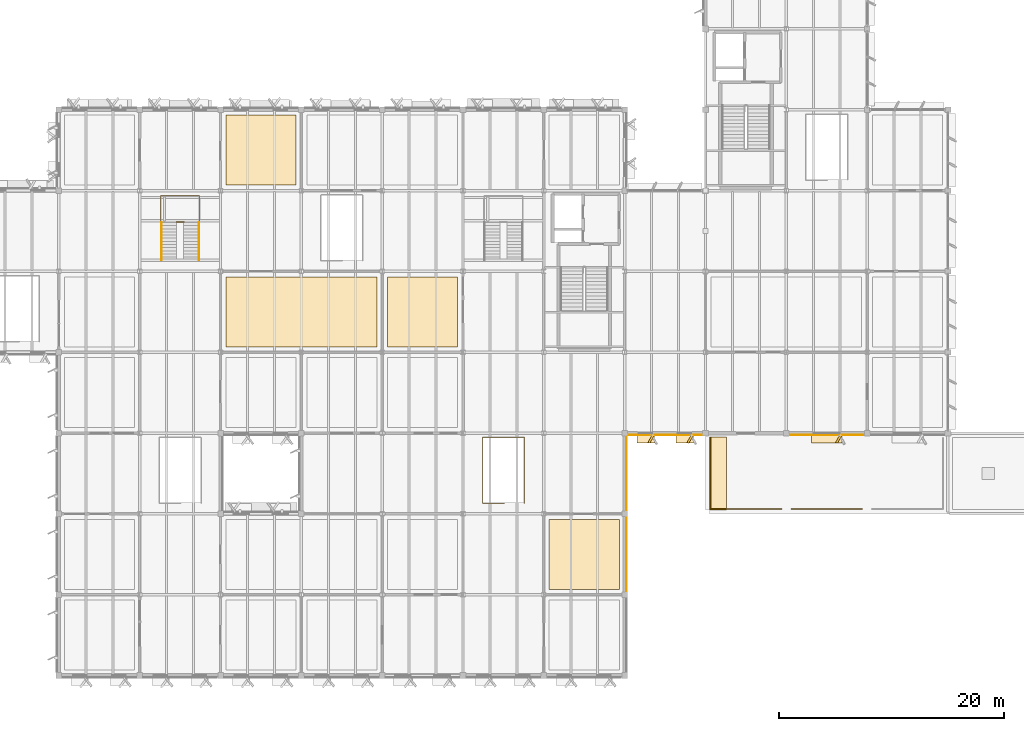
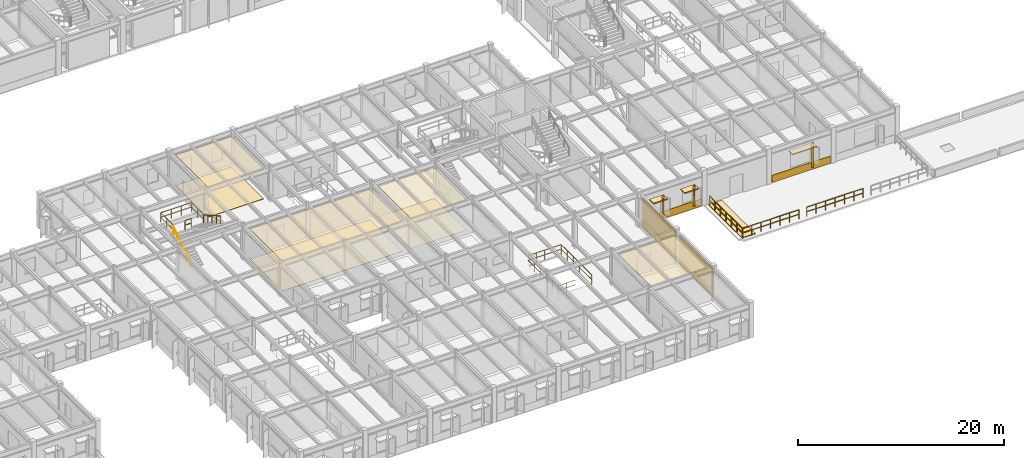
# One storey, part 76 of 85: 22 coverings, 8 railings.
"""IFC4 building model written with IfcOpenShell, lengths in metres."""

from ifc_helpers import new_model, si_unit, direction, frame, frame_2d, origin, origin_2d, place, context, subcontext, project, spatial, polyline, rectangle, circle, outline, extrude, material, layer, layer_set, type_object, element, save


model = new_model("IFC4")

# Units and contexts
model_context = context("Model", 3, precision=1e-05, world=origin(), true_north=direction((0.0, 1.0)))
body_context = subcontext(model_context, "Body", "Model", "MODEL_VIEW")
ifc_project = project(units=[si_unit("LENGTHUNIT", "METRE"), si_unit("AREAUNIT", "SQUARE_METRE"), si_unit("VOLUMEUNIT", "CUBIC_METRE"), si_unit("PLANEANGLEUNIT", "RADIAN"), si_unit("MASSUNIT", "GRAM", prefix="KILO")], contexts=[model_context])

# Site, building, storey
site_placement = place(None, origin())
site = spatial("IfcSite", under=ifc_project, at=site_placement, CompositionType="ELEMENT")
building_placement = place(site_placement, origin())
building = spatial("IfcBuilding", under=site, at=building_placement, Name="Sillqori Civic Hall", CompositionType="ELEMENT")
storey_placement = place(building_placement, frame((0.0, 0.0, 9.89990234375)))
storey = spatial("IfcBuildingStorey", under=building, at=storey_placement, Name="L03", CompositionType="ELEMENT", Elevation=9.89990234375)

# Coverings
ifc_material_1 = material(Name="Acoustic Gypsum Board Assembly 28", Category="gypsum")
ifc_layer_1 = layer(ifc_material_1, 0.028076171875)
ifc_layer_set_1 = layer_set([ifc_layer_1], Name="Acoustic Gypsum Board Assembly 28")
covering_type_1 = type_object("IfcCoveringType", Name="COV-CEIL-G28", PredefinedType="CEILING", material=ifc_layer_set_1)
covering_1_placement = place(storey_placement, frame((0.0, 0.0, 3.593017578125)))
element("IfcCovering", 1, at=covering_1_placement, inside=storey, type_object=covering_type_1, Name="Civic Heritage Exhibition Gallery L03-09 acoustic ceiling", PredefinedType="CEILING", context=body_context, shape_type="SweptSolid", body=[
    extrude(outline(polyline([(79.679931640625, 36.47998046875), (93.1201171875, 36.47998046875), (93.1201171875, 42.719970703125), (79.679931640625, 42.719970703125), (79.679931640625, 36.47998046875)])), origin(), (0.0, 0.0, 1.0), 0.028076171875),
])
ifc_material_2 = material(Name="Acoustic Gypsum Board Assembly 34", Category="gypsum")
ifc_layer_2 = layer(ifc_material_2, 0.033935546875)
ifc_layer_set_2 = layer_set([ifc_layer_2], Name="Acoustic Gypsum Board Assembly 34")
covering_type_2 = type_object("IfcCoveringType", Name="COV-CEIL-G34", PredefinedType="CEILING", material=ifc_layer_set_2)
covering_2_placement = place(storey_placement, frame((0.0, 0.0, 3.587158203125)))
element("IfcCovering", 2, at=covering_2_placement, inside=storey, type_object=covering_type_2, Name="Citizen Participatory Budgeting Forum Hall L03-10 acoustic ceiling", PredefinedType="CEILING", context=body_context, shape_type="SweptSolid", body=[
    extrude(outline(polyline([(79.679931640625, 50.8798828125), (85.919921875, 50.8798828125), (85.919921875, 57.1201171875), (79.679931640625, 57.1201171875), (79.679931640625, 50.8798828125)])), origin(), (0.0, 0.0, 1.0), 0.033935546875),
])
ifc_material_3 = material(Name="Acoustic Wool Metal Plank 76", Category="aluminium")
ifc_layer_3 = layer(ifc_material_3, 0.075927734375)
ifc_layer_set_3 = layer_set([ifc_layer_3], Name="Acoustic Wool Metal Plank 76")
covering_type_3 = type_object("IfcCoveringType", Name="COV-CEIL-M76", PredefinedType="CEILING", material=ifc_layer_set_3)
covering_3_placement = place(storey_placement, frame((0.0, 0.0, 3.545166015625)))
element("IfcCovering", 3, at=covering_3_placement, inside=storey, type_object=covering_type_3, Name="Public Digital Services Lab L03-16 acoustic ceiling", PredefinedType="CEILING", context=body_context, shape_type="SweptSolid", body=[
    extrude(outline(polyline([(94.080078125, 36.47998046875), (100.320068359375, 36.47998046875), (100.320068359375, 42.719970703125), (94.080078125, 42.719970703125), (94.080078125, 36.47998046875)])), origin(), (0.0, 0.0, 1.0), 0.075927734375),
])
ifc_material_4 = material(Name="Micro-Perforated Aluminium Plank Ceiling", Category="aluminium")
ifc_layer_4 = layer(ifc_material_4, 0.035888671875)
ifc_layer_set_4 = layer_set([ifc_layer_4], Name="Micro-Perforated Aluminium Plank Ceiling")
covering_type_4 = type_object("IfcCoveringType", Name="COV-CEIL-MET", PredefinedType="CEILING", material=ifc_layer_set_4)
covering_4_placement = place(storey_placement, frame((0.0, 0.0, 3.585205078125)))
element("IfcCovering", 4, at=covering_4_placement, inside=storey, type_object=covering_type_4, Name="Citizen Participatory Budgeting Forum Hall L03-18 acoustic ceiling", PredefinedType="CEILING", context=body_context, shape_type="SweptSolid", body=[
    extrude(outline(polyline([(108.47998046875, 14.8798828125), (114.719970703125, 14.8798828125), (114.719970703125, 21.1201171875), (108.47998046875, 21.1201171875), (108.47998046875, 14.8798828125)])), origin(), (0.0, 0.0, 1.0), 0.035888671875),
])
ifc_material_5 = material(Name="Cochabamba Honed Limestone Cladding", Category="masonry")
ifc_layer_5 = layer(ifc_material_5, 0.044921875)
ifc_layer_set_5 = layer_set([ifc_layer_5], Name="Cochabamba Honed Limestone Cladding")
covering_type_5 = type_object("IfcCoveringType", Name="COV-CLAD-LIME", PredefinedType="CLADDING", material=ifc_layer_set_5)
covering_5_placement = place(storey_placement, frame((115.3798828125, 21.27001953125, 0.0400390625), z_axis=(0.0, 0.0, 1.0), x_axis=(0.0, -1.0, 0.0)))
element("IfcCovering", 5, at=covering_5_placement, inside=storey, type_object=covering_type_5, Name="L03 limestone spandrel cladding L03-15-02-E", PredefinedType="CLADDING", context=body_context, shape_type="SweptSolid", body=[
    extrude(rectangle(XDim=6.5400390625, YDim=0.044921875, at=frame_2d((3.27001953125, 0.0))), origin(), (0.0, 0.0, 1.0), 0.860107421875),
])
covering_6_placement = place(storey_placement, frame((115.3798828125, 21.27001953125, 3.22021484375), z_axis=(0.0, 0.0, 1.0), x_axis=(0.0, -1.0, 0.0)))
element("IfcCovering", 6, at=covering_6_placement, inside=storey, type_object=covering_type_5, Name="L03 limestone frieze cladding L03-15-02-E", PredefinedType="CLADDING", context=body_context, shape_type="SweptSolid", body=[
    extrude(rectangle(XDim=6.5400390625, YDim=0.044921875, at=frame_2d((3.27001953125, 0.0))), origin(), (0.0, 0.0, 1.0), 0.226806640625),
])
covering_7_placement = place(storey_placement, frame((115.3798828125, 21.27001953125, 0.900146484375), z_axis=(0.0, 0.0, 1.0), x_axis=(0.0, -1.0, 0.0)))
element("IfcCovering", 7, at=covering_7_placement, inside=storey, type_object=covering_type_5, Name="L03 Wedge Hall limestone pier cladding L03-15-02-E.1", PredefinedType="CLADDING", context=body_context, shape_type="SweptSolid", body=[
    extrude(rectangle(XDim=6.5400390625, YDim=0.044921875, at=frame_2d((3.27001953125, 0.0))), origin(), (0.0, 0.0, 1.0), 2.546875),
])
covering_8_placement = place(storey_placement, frame((115.3798828125, 28.469970703125, 0.0400390625), z_axis=(0.0, 0.0, 1.0), x_axis=(0.0, -1.0, 0.0)))
element("IfcCovering", 8, at=covering_8_placement, inside=storey, type_object=covering_type_5, Name="L03 limestone spandrel cladding L03-15-03-E", PredefinedType="CLADDING", context=body_context, shape_type="SweptSolid", body=[
    extrude(rectangle(XDim=6.5400390625, YDim=0.044921875, at=frame_2d((3.27001953125, 0.0))), origin(), (0.0, 0.0, 1.0), 0.860107421875),
])
covering_9_placement = place(storey_placement, frame((115.3798828125, 28.469970703125, 3.22021484375), z_axis=(0.0, 0.0, 1.0), x_axis=(0.0, -1.0, 0.0)))
element("IfcCovering", 9, at=covering_9_placement, inside=storey, type_object=covering_type_5, Name="L03 limestone frieze cladding L03-15-03-E", PredefinedType="CLADDING", context=body_context, shape_type="SweptSolid", body=[
    extrude(rectangle(XDim=6.5400390625, YDim=0.044921875, at=frame_2d((3.27001953125, 0.0))), origin(), (0.0, 0.0, 1.0), 0.226806640625),
])
covering_10_placement = place(storey_placement, frame((115.3798828125, 28.469970703125, 0.900146484375), z_axis=(0.0, 0.0, 1.0), x_axis=(0.0, -1.0, 0.0)))
element("IfcCovering", 10, at=covering_10_placement, inside=storey, type_object=covering_type_5, Name="L03 Wedge Hall limestone pier cladding L03-15-03-E.1", PredefinedType="CLADDING", context=body_context, shape_type="SweptSolid", body=[
    extrude(rectangle(XDim=6.5400390625, YDim=0.044921875, at=frame_2d((3.27001953125, 0.0))), origin(), (0.0, 0.0, 1.0), 2.546875),
])
covering_11_placement = place(storey_placement, frame((122.070068359375, 28.6298828125, 0.0400390625), z_axis=(0.0, 0.0, 1.0), x_axis=(-1.0, 0.0, 0.0)))
element("IfcCovering", 11, at=covering_11_placement, inside=storey, type_object=covering_type_5, Name="L03 limestone spandrel cladding L03-16-04-S", PredefinedType="CLADDING", context=body_context, shape_type="SweptSolid", body=[
    extrude(rectangle(XDim=6.5400390625, YDim=0.044921875, at=frame_2d((3.27001953125, 0.0))), origin(), (0.0, 0.0, 1.0), 0.860107421875),
])
covering_12_placement = place(storey_placement, frame((121.261962890625, 28.669921875, 0.830078125), z_axis=(0.0, 0.0, 1.0), x_axis=(-0.500062241894, -0.865989465428, 0.0)))
element("IfcCovering", 12, at=covering_12_placement, inside=storey, type_object=covering_type_5, Name="Sawtooth limestone angled reveal cheek L03-16-04-S.1", PredefinedType="CLADDING", context=body_context, shape_type="SweptSolid", body=[
    extrude(rectangle(XDim=0.85009765625, YDim=0.179931640625, at=frame_2d((0.425048828125, 0.0))), origin(), (0.0, 0.0, 1.0), 2.0),
])
covering_13_placement = place(storey_placement, frame((121.322021484375, 28.2900390625, 2.690185546875), z_axis=(0.0, 0.0, 1.0), x_axis=(-1.0, 0.0, 0.0)))
element("IfcCovering", 13, at=covering_13_placement, inside=storey, type_object=covering_type_5, Name="Sawtooth limestone window hood L03-16-04-S.1", PredefinedType="CLADDING", context=body_context, shape_type="SweptSolid", body=[
    extrude(rectangle(XDim=1.56005859375, YDim=0.780029296875, at=frame_2d((0.780029296875, 0.0))), origin(), (0.0, 0.0, 1.0), 0.139892578125),
])
covering_14_placement = place(storey_placement, frame((117.778076171875, 28.669921875, 0.830078125), z_axis=(0.0, 0.0, 1.0), x_axis=(-0.500062241894, -0.865989465428, 0.0)))
element("IfcCovering", 14, at=covering_14_placement, inside=storey, type_object=covering_type_5, Name="Sawtooth limestone angled reveal cheek L03-16-04-S.2", PredefinedType="CLADDING", context=body_context, shape_type="SweptSolid", body=[
    extrude(rectangle(XDim=0.85009765625, YDim=0.179931640625, at=frame_2d((0.425048828125, 0.0))), origin(), (0.0, 0.0, 1.0), 2.0),
])
covering_15_placement = place(storey_placement, frame((117.837890625, 28.2900390625, 2.690185546875), z_axis=(0.0, 0.0, 1.0), x_axis=(-1.0, 0.0, 0.0)))
element("IfcCovering", 15, at=covering_15_placement, inside=storey, type_object=covering_type_5, Name="Sawtooth limestone window hood L03-16-04-S.2", PredefinedType="CLADDING", context=body_context, shape_type="SweptSolid", body=[
    extrude(rectangle(XDim=1.559814453125, YDim=0.780029296875, at=frame_2d((0.77978515625, 0.0))), origin(), (0.0, 0.0, 1.0), 0.139892578125),
])
covering_16_placement = place(storey_placement, frame((136.469970703125, 28.6298828125, 0.0400390625), z_axis=(0.0, 0.0, 1.0), x_axis=(-1.0, 0.0, 0.0)))
element("IfcCovering", 16, at=covering_16_placement, inside=storey, type_object=covering_type_5, Name="L03 limestone spandrel cladding L03-18-04-S", PredefinedType="CLADDING", context=body_context, shape_type="SweptSolid", body=[
    extrude(rectangle(XDim=6.5400390625, YDim=0.044921875, at=frame_2d((3.27001953125, 0.0))), origin(), (0.0, 0.0, 1.0), 0.860107421875),
])
covering_17_placement = place(storey_placement, frame((134.4951171875, 28.669921875, 0.830078125), z_axis=(0.0, 0.0, 1.0), x_axis=(-0.500062241894, -0.865989465428, 0.0)))
element("IfcCovering", 17, at=covering_17_placement, inside=storey, type_object=covering_type_5, Name="Sawtooth limestone angled reveal cheek L03-18-04-S.1", PredefinedType="CLADDING", context=body_context, shape_type="SweptSolid", body=[
    extrude(rectangle(XDim=0.85009765625, YDim=0.179931640625, at=frame_2d((0.425048828125, 0.0))), origin(), (0.0, 0.0, 1.0), 2.35009765625),
])
covering_18_placement = place(storey_placement, frame((134.554931640625, 28.2900390625, 3.0400390625), z_axis=(0.0, 0.0, 1.0), x_axis=(-1.0, 0.0, 0.0)))
element("IfcCovering", 18, at=covering_18_placement, inside=storey, type_object=covering_type_5, Name="Sawtooth limestone window hood L03-18-04-S.1", PredefinedType="CLADDING", context=body_context, shape_type="SweptSolid", body=[
    extrude(rectangle(XDim=2.7099609375, YDim=0.780029296875, at=frame_2d((1.35498046875, 0.0))), origin(), (0.0, 0.0, 1.0), 0.14013671875),
])
ifc_material_6 = material(Name="Seamless Polyurethane Acoustic Screed 12", Category="resin")
ifc_layer_6 = layer(ifc_material_6, 0.011962890625)
ifc_layer_set_6 = layer_set([ifc_layer_6], Name="Seamless Polyurethane Acoustic Screed 12")
covering_type_6 = type_object("IfcCoveringType", Name="COV-FLR-R12", PredefinedType="FLOORING", material=ifc_layer_set_6)
covering_19_placement = place(storey_placement, origin())
element("IfcCovering", 19, at=covering_19_placement, inside=storey, type_object=covering_type_6, Name="Public Digital Services Lab L03-16 floor finish", PredefinedType="FLOORING", context=body_context, shape_type="SweptSolid", body=[
    extrude(outline(polyline([(94.080078125, 36.47998046875), (100.320068359375, 36.47998046875), (100.320068359375, 42.719970703125), (94.080078125, 42.719970703125), (94.080078125, 36.47998046875)])), origin(), (0.0, 0.0, 1.0), 0.01220703125),
])
ifc_material_7 = material(Name="Honed Comanche Sandstone Paving 38", Category="masonry")
ifc_layer_7 = layer(ifc_material_7, 0.0380859375)
ifc_layer_set_7 = layer_set([ifc_layer_7], Name="Honed Comanche Sandstone Paving 38")
covering_type_7 = type_object("IfcCoveringType", Name="COV-FLR-S38", PredefinedType="FLOORING", material=ifc_layer_set_7)
covering_20_placement = place(storey_placement, origin())
element("IfcCovering", 20, at=covering_20_placement, inside=storey, type_object=covering_type_7, Name="Civic Heritage Exhibition Gallery L03-09 floor finish", PredefinedType="FLOORING", context=body_context, shape_type="SweptSolid", body=[
    extrude(outline(polyline([(79.679931640625, 36.47998046875), (93.1201171875, 36.47998046875), (93.1201171875, 42.719970703125), (79.679931640625, 42.719970703125), (79.679931640625, 36.47998046875)])), origin(), (0.0, 0.0, 1.0), 0.0380859375),
])
ifc_material_8 = material(Name="Honed Comanche Sandstone Paving 44", Category="masonry")
ifc_layer_8 = layer(ifc_material_8, 0.0439453125)
ifc_layer_set_8 = layer_set([ifc_layer_8], Name="Honed Comanche Sandstone Paving 44")
covering_type_8 = type_object("IfcCoveringType", Name="COV-FLR-S44", PredefinedType="FLOORING", material=ifc_layer_set_8)
covering_21_placement = place(storey_placement, origin())
element("IfcCovering", 21, at=covering_21_placement, inside=storey, type_object=covering_type_8, Name="Citizen Participatory Budgeting Forum Hall L03-10 floor finish", PredefinedType="FLOORING", context=body_context, shape_type="SweptSolid", body=[
    extrude(outline(polyline([(79.679931640625, 50.8798828125), (85.919921875, 50.8798828125), (85.919921875, 57.1201171875), (79.679931640625, 57.1201171875), (79.679931640625, 50.8798828125)])), origin(), (0.0, 0.0, 1.0), 0.044189453125),
])
ifc_material_9 = material(Name="Extensive Andean Sedum Roof Substrate", Category="earth")
ifc_layer_9 = layer(ifc_material_9, 0.080078125)
ifc_layer_set_9 = layer_set([ifc_layer_9], Name="Extensive Andean Sedum Roof Substrate")
covering_type_9 = type_object("IfcCoveringType", Name="COV-ROOF-GRN", PredefinedType="ROOFING", material=ifc_layer_set_9)
covering_22_placement = place(storey_placement, origin())
element("IfcCovering", 22, at=covering_22_placement, inside=storey, type_object=covering_type_9, Name="Library Courtyard Step Terrace planted planter bed", PredefinedType="ROOFING", context=body_context, shape_type="SweptSolid", body=[
    extrude(outline(polyline([(122.75, 21.949951171875), (124.25, 21.949951171875), (124.25, 28.449951171875), (122.75, 28.449951171875), (122.75, 21.949951171875)])), origin(), (0.0, 0.0, 1.0), 0.080078125),
])

# Railings
ifc_material_10 = material(Name="Architectural Bronze and Tempered Glass Balustrade", Category="glass")
ifc_layer_10 = layer(ifc_material_10, 0.080078125)
ifc_layer_set_10 = layer_set([ifc_layer_10], Name="Architectural Bronze and Tempered Glass Balustrade")
railing_type_1 = type_object("IfcRailingType", Name="RLG-BALU-115", PredefinedType="BALUSTRADE", material=ifc_layer_set_10)
railing_1_placement = place(storey_placement, frame((104.4599609375, 22.5400390625, 0.0)))
element("IfcRailing", 23, at=railing_1_placement, inside=storey, type_object=railing_type_1, Name="Wedge Atrium East Gallery Stair L02-L03 upper atrium well balustrade", PredefinedType="BALUSTRADE", context=body_context, shape_type="SweptSolid", body=[
    extrude(circle(Radius=0.02392578125, at=origin_2d()), frame((0.0, 0.0, 1.1259765625), z_axis=(-1.0, 0.0, 0.0), x_axis=(0.0, -1.0, 0.0)), (0.0, 0.0, 1.0), 1.919921875),
    extrude(circle(Radius=0.02392578125, at=origin_2d()), frame((0.0, 0.0, 0.574951171875), z_axis=(-1.0, 0.0, 0.0), x_axis=(0.0, -1.0, 0.0)), (0.0, 0.0, 1.0), 1.919921875),
    extrude(circle(Radius=0.02392578125, at=origin_2d()), frame((-1.919921875, 0.0, 1.1259765625), z_axis=(0.0, 1.0, 0.0), x_axis=(-1.0, 0.0, 0.0)), (0.0, 0.0, 1.0), 5.869873046875),
    extrude(circle(Radius=0.02392578125, at=origin_2d()), frame((-1.919921875, 0.0, 0.574951171875), z_axis=(0.0, 1.0, 0.0), x_axis=(-1.0, 0.0, 0.0)), (0.0, 0.0, 1.0), 5.869873046875),
    extrude(circle(Radius=0.02392578125, at=origin_2d()), frame((-1.919921875, 5.869873046875, 1.1259765625), z_axis=(1.0, 0.0, 0.0), x_axis=(0.0, 1.0, 0.0)), (0.0, 0.0, 1.0), 3.719970703125),
    extrude(circle(Radius=0.02392578125, at=origin_2d()), frame((-1.919921875, 5.869873046875, 0.574951171875), z_axis=(1.0, 0.0, 0.0), x_axis=(0.0, 1.0, 0.0)), (0.0, 0.0, 1.0), 3.719970703125),
    extrude(circle(Radius=0.02392578125, at=origin_2d()), frame((1.800048828125, 5.869873046875, 1.1259765625), z_axis=(0.0, -1.0, 0.0), x_axis=(1.0, 0.0, 0.0)), (0.0, 0.0, 1.0), 5.869873046875),
    extrude(circle(Radius=0.02392578125, at=origin_2d()), frame((1.800048828125, 5.869873046875, 0.574951171875), z_axis=(0.0, -1.0, 0.0), x_axis=(1.0, 0.0, 0.0)), (0.0, 0.0, 1.0), 5.869873046875),
    extrude(circle(Radius=0.02099609375, at=origin_2d()), origin(), (0.0, 0.0, 1.0), 1.101806640625),
    extrude(circle(Radius=0.02099609375, at=origin_2d()), frame((-0.9599609375, 0.0, 0.0)), (0.0, 0.0, 1.0), 1.101806640625),
    extrude(circle(Radius=0.02099609375, at=origin_2d()), frame((-1.919921875, 0.0, 0.0)), (0.0, 0.0, 1.0), 1.101806640625),
    extrude(circle(Radius=0.02099609375, at=origin_2d()), frame((-1.919921875, 1.174072265625, 0.0)), (0.0, 0.0, 1.0), 1.101806640625),
    extrude(circle(Radius=0.02099609375, at=origin_2d()), frame((-1.919921875, 2.347900390625, 0.0)), (0.0, 0.0, 1.0), 1.101806640625),
    extrude(circle(Radius=0.02099609375, at=origin_2d()), frame((-1.919921875, 3.52197265625, 0.0)), (0.0, 0.0, 1.0), 1.101806640625),
    extrude(circle(Radius=0.02099609375, at=origin_2d()), frame((-1.919921875, 4.69580078125, 0.0)), (0.0, 0.0, 1.0), 1.101806640625),
    extrude(circle(Radius=0.02099609375, at=origin_2d()), frame((-1.919921875, 5.869873046875, 0.0)), (0.0, 0.0, 1.0), 1.101806640625),
    extrude(circle(Radius=0.02099609375, at=origin_2d()), frame((-0.989990234375, 5.869873046875, 0.0)), (0.0, 0.0, 1.0), 1.101806640625),
    extrude(circle(Radius=0.02099609375, at=origin_2d()), frame((-0.06005859375, 5.869873046875, 0.0)), (0.0, 0.0, 1.0), 1.101806640625),
    extrude(circle(Radius=0.02099609375, at=origin_2d()), frame((0.8701171875, 5.869873046875, 0.0)), (0.0, 0.0, 1.0), 1.101806640625),
    extrude(circle(Radius=0.02099609375, at=origin_2d()), frame((1.800048828125, 5.869873046875, 0.0)), (0.0, 0.0, 1.0), 1.101806640625),
    extrude(circle(Radius=0.02099609375, at=origin_2d()), frame((1.800048828125, 4.69580078125, 0.0)), (0.0, 0.0, 1.0), 1.101806640625),
    extrude(circle(Radius=0.02099609375, at=origin_2d()), frame((1.800048828125, 3.52197265625, 0.0)), (0.0, 0.0, 1.0), 1.101806640625),
    extrude(circle(Radius=0.02099609375, at=origin_2d()), frame((1.800048828125, 2.347900390625, 0.0)), (0.0, 0.0, 1.0), 1.101806640625),
    extrude(circle(Radius=0.02099609375, at=origin_2d()), frame((1.800048828125, 1.174072265625, 0.0)), (0.0, 0.0, 1.0), 1.101806640625),
    extrude(circle(Radius=0.02099609375, at=origin_2d()), frame((1.800048828125, 0.0, 0.0)), (0.0, 0.0, 1.0), 1.101806640625),
])
ifc_material_11 = material(Name="Brushed Stainless Steel 316 Handrail", Category="steel")
ifc_layer_11 = layer(ifc_material_11, 0.044921875)
ifc_layer_set_11 = layer_set([ifc_layer_11], Name="Brushed Stainless Steel 316 Handrail")
railing_type_2 = type_object("IfcRailingType", Name="RLG-CORE-092", PredefinedType="HANDRAIL", material=ifc_layer_set_11)
railing_2_placement = place(storey_placement, frame((73.919921875, 44.199951171875, 0.16162109375)))
element("IfcRailing", 24, at=railing_2_placement, inside=storey, type_object=railing_type_2, Name="Wedge Atrium Upper West Stair L03-L04 handrail W", PredefinedType="HANDRAIL", context=body_context, shape_type="SweptSolid", body=[
    extrude(circle(Radius=0.02392578125, at=origin_2d()), frame((0.0, 0.0, 0.89599609375), z_axis=(0.0, 0.866190824863, 0.499713372768), x_axis=(-1.0, 0.0, 0.0)), (0.0, 0.0, 1.0), 3.879150390625),
    extrude(circle(Radius=0.02099609375, at=origin_2d()), origin(), (0.0, 0.0, 1.0), 0.871826171875),
    extrude(circle(Radius=0.02099609375, at=origin_2d()), frame((0.0, 0.840087890625, 0.484619140625)), (0.0, 0.0, 1.0), 0.871826171875),
    extrude(circle(Radius=0.02099609375, at=origin_2d()), frame((0.0, 1.68017578125, 0.96923828125)), (0.0, 0.0, 1.0), 0.871826171875),
    extrude(circle(Radius=0.02099609375, at=origin_2d()), frame((0.0, 2.52001953125, 1.453857421875)), (0.0, 0.0, 1.0), 0.871826171875),
    extrude(circle(Radius=0.02099609375, at=origin_2d()), frame((0.0, 3.360107421875, 1.9384765625)), (0.0, 0.0, 1.0), 0.871826171875),
])
railing_3_placement = place(storey_placement, frame((77.280029296875, 47.56005859375, 2.26171875)))
element("IfcRailing", 25, at=railing_3_placement, inside=storey, type_object=railing_type_2, Name="Wedge Atrium Upper West Stair L03-L04 handrail E", PredefinedType="HANDRAIL", context=body_context, shape_type="SweptSolid", body=[
    extrude(circle(Radius=0.02392578125, at=origin_2d()), frame((0.0, 0.0, 0.89599609375), z_axis=(0.0, -0.866190824863, 0.499713372768), x_axis=(1.0, 0.0, 0.0)), (0.0, 0.0, 1.0), 3.879150390625),
    extrude(circle(Radius=0.02099609375, at=origin_2d()), origin(), (0.0, 0.0, 1.0), 0.871826171875),
    extrude(circle(Radius=0.02099609375, at=origin_2d()), frame((0.0, -0.840087890625, 0.484619140625)), (0.0, 0.0, 1.0), 0.871826171875),
    extrude(circle(Radius=0.02099609375, at=origin_2d()), frame((0.0, -1.68017578125, 0.96923828125)), (0.0, 0.0, 1.0), 0.871826171875),
    extrude(circle(Radius=0.02099609375, at=origin_2d()), frame((0.0, -2.52001953125, 1.453857421875)), (0.0, 0.0, 1.0), 0.871826171875),
    extrude(circle(Radius=0.02099609375, at=origin_2d()), frame((0.0, -3.360107421875, 1.9384765625)), (0.0, 0.0, 1.0), 0.871826171875),
])
ifc_material_12 = material(Name="Stainless Steel 316 and Laminated Balustrade", Category="steel")
ifc_layer_12 = layer(ifc_material_12, 0.06005859375)
ifc_layer_set_12 = layer_set([ifc_layer_12], Name="Stainless Steel 316 and Laminated Balustrade")
railing_type_3 = type_object("IfcRailingType", Name="RLG-TERR-112", PredefinedType="GUARDRAIL", material=ifc_layer_set_12)
railing_4_placement = place(storey_placement, frame((122.840087890625, 22.0400390625, 0.0)))
element("IfcRailing", 26, at=railing_4_placement, inside=storey, type_object=railing_type_3, Name="Library Courtyard Step Terrace perimeter guard S-01", PredefinedType="GUARDRAIL", context=body_context, shape_type="SweptSolid", body=[
    extrude(circle(Radius=0.02392578125, at=origin_2d()), frame((0.0, 0.0, 1.09619140625), z_axis=(1.0, 0.0, 0.0), x_axis=(0.0, 1.0, 0.0)), (0.0, 0.0, 1.0), 6.31982421875),
    extrude(circle(Radius=0.02392578125, at=origin_2d()), frame((0.0, 0.0, 0.56005859375), z_axis=(1.0, 0.0, 0.0), x_axis=(0.0, 1.0, 0.0)), (0.0, 0.0, 1.0), 6.31982421875),
    extrude(circle(Radius=0.02099609375, at=origin_2d()), origin(), (0.0, 0.0, 1.0), 1.072021484375),
    extrude(circle(Radius=0.02099609375, at=origin_2d()), frame((1.05322265625, 0.0, 0.0)), (0.0, 0.0, 1.0), 1.072021484375),
    extrude(circle(Radius=0.02099609375, at=origin_2d()), frame((2.106689453125, 0.0, 0.0)), (0.0, 0.0, 1.0), 1.072021484375),
    extrude(circle(Radius=0.02099609375, at=origin_2d()), frame((3.159912109375, 0.0, 0.0)), (0.0, 0.0, 1.0), 1.072021484375),
    extrude(circle(Radius=0.02099609375, at=origin_2d()), frame((4.213134765625, 0.0, 0.0)), (0.0, 0.0, 1.0), 1.072021484375),
    extrude(circle(Radius=0.02099609375, at=origin_2d()), frame((5.2666015625, 0.0, 0.0)), (0.0, 0.0, 1.0), 1.072021484375),
    extrude(circle(Radius=0.02099609375, at=origin_2d()), frame((6.31982421875, 0.0, 0.0)), (0.0, 0.0, 1.0), 1.072021484375),
])
railing_5_placement = place(storey_placement, frame((130.0400390625, 22.0400390625, 0.0)))
element("IfcRailing", 27, at=railing_5_placement, inside=storey, type_object=railing_type_3, Name="Library Courtyard Step Terrace perimeter guard S-02", PredefinedType="GUARDRAIL", context=body_context, shape_type="SweptSolid", body=[
    extrude(circle(Radius=0.02392578125, at=origin_2d()), frame((0.0, 0.0, 1.09619140625), z_axis=(1.0, 0.0, 0.0), x_axis=(0.0, 1.0, 0.0)), (0.0, 0.0, 1.0), 6.320068359375),
    extrude(circle(Radius=0.02392578125, at=origin_2d()), frame((0.0, 0.0, 0.56005859375), z_axis=(1.0, 0.0, 0.0), x_axis=(0.0, 1.0, 0.0)), (0.0, 0.0, 1.0), 6.320068359375),
    extrude(circle(Radius=0.02099609375, at=origin_2d()), origin(), (0.0, 0.0, 1.0), 1.072021484375),
    extrude(circle(Radius=0.02099609375, at=origin_2d()), frame((1.05322265625, 0.0, 0.0)), (0.0, 0.0, 1.0), 1.072021484375),
    extrude(circle(Radius=0.02099609375, at=origin_2d()), frame((2.106689453125, 0.0, 0.0)), (0.0, 0.0, 1.0), 1.072021484375),
    extrude(circle(Radius=0.02099609375, at=origin_2d()), frame((3.16015625, 0.0, 0.0)), (0.0, 0.0, 1.0), 1.072021484375),
    extrude(circle(Radius=0.02099609375, at=origin_2d()), frame((4.21337890625, 0.0, 0.0)), (0.0, 0.0, 1.0), 1.072021484375),
    extrude(circle(Radius=0.02099609375, at=origin_2d()), frame((5.2666015625, 0.0, 0.0)), (0.0, 0.0, 1.0), 1.072021484375),
    extrude(circle(Radius=0.02099609375, at=origin_2d()), frame((6.320068359375, 0.0, 0.0)), (0.0, 0.0, 1.0), 1.072021484375),
])
railing_6_placement = place(storey_placement, frame((122.840087890625, 22.0400390625, 0.0)))
element("IfcRailing", 28, at=railing_6_placement, inside=storey, type_object=railing_type_3, Name="Library Courtyard Step Terrace perimeter guard W-04", PredefinedType="GUARDRAIL", context=body_context, shape_type="SweptSolid", body=[
    extrude(circle(Radius=0.02392578125, at=origin_2d()), frame((0.0, 0.0, 1.09619140625), z_axis=(0.0, 1.0, 0.0), x_axis=(-1.0, 0.0, 0.0)), (0.0, 0.0, 1.0), 6.320068359375),
    extrude(circle(Radius=0.02392578125, at=origin_2d()), frame((0.0, 0.0, 0.56005859375), z_axis=(0.0, 1.0, 0.0), x_axis=(-1.0, 0.0, 0.0)), (0.0, 0.0, 1.0), 6.320068359375),
    extrude(circle(Radius=0.02099609375, at=origin_2d()), origin(), (0.0, 0.0, 1.0), 1.072021484375),
    extrude(circle(Radius=0.02099609375, at=origin_2d()), frame((0.0, 1.05322265625, 0.0)), (0.0, 0.0, 1.0), 1.072021484375),
    extrude(circle(Radius=0.02099609375, at=origin_2d()), frame((0.0, 2.106689453125, 0.0)), (0.0, 0.0, 1.0), 1.072021484375),
    extrude(circle(Radius=0.02099609375, at=origin_2d()), frame((0.0, 3.16015625, 0.0)), (0.0, 0.0, 1.0), 1.072021484375),
    extrude(circle(Radius=0.02099609375, at=origin_2d()), frame((0.0, 4.21337890625, 0.0)), (0.0, 0.0, 1.0), 1.072021484375),
    extrude(circle(Radius=0.02099609375, at=origin_2d()), frame((0.0, 5.2666015625, 0.0)), (0.0, 0.0, 1.0), 1.072021484375),
    extrude(circle(Radius=0.02099609375, at=origin_2d()), frame((0.0, 6.320068359375, 0.0)), (0.0, 0.0, 1.0), 1.072021484375),
])
railing_7_placement = place(storey_placement, frame((73.8798828125, 47.56005859375, 2.10009765625)))
element("IfcRailing", 29, at=railing_7_placement, inside=storey, type_object=railing_type_3, Name="Wedge Atrium Upper West Stair L03-L04 half-landing guard", PredefinedType="GUARDRAIL", context=body_context, shape_type="SweptSolid", body=[
    extrude(circle(Radius=0.02392578125, at=origin_2d()), frame((0.0, 0.0, 1.09619140625), z_axis=(0.0, 1.0, 0.0), x_axis=(-1.0, 0.0, 0.0)), (0.0, 0.0, 1.0), 2.369873046875),
    extrude(circle(Radius=0.02392578125, at=origin_2d()), frame((0.0, 0.0, 0.56005859375), z_axis=(0.0, 1.0, 0.0), x_axis=(-1.0, 0.0, 0.0)), (0.0, 0.0, 1.0), 2.369873046875),
    extrude(circle(Radius=0.02392578125, at=origin_2d()), frame((0.0, 2.369873046875, 1.09619140625), z_axis=(1.0, 0.0, 0.0), x_axis=(0.0, 1.0, 0.0)), (0.0, 0.0, 1.0), 3.440185546875),
    extrude(circle(Radius=0.02392578125, at=origin_2d()), frame((0.0, 2.369873046875, 0.56005859375), z_axis=(1.0, 0.0, 0.0), x_axis=(0.0, 1.0, 0.0)), (0.0, 0.0, 1.0), 3.440185546875),
    extrude(circle(Radius=0.02392578125, at=origin_2d()), frame((3.440185546875, 2.369873046875, 1.09619140625), z_axis=(0.0, -1.0, 0.0), x_axis=(1.0, 0.0, 0.0)), (0.0, 0.0, 1.0), 2.369873046875),
    extrude(circle(Radius=0.02392578125, at=origin_2d()), frame((3.440185546875, 2.369873046875, 0.56005859375), z_axis=(0.0, -1.0, 0.0), x_axis=(1.0, 0.0, 0.0)), (0.0, 0.0, 1.0), 2.369873046875),
    extrude(circle(Radius=0.02099609375, at=origin_2d()), origin(), (0.0, 0.0, 1.0), 1.072021484375),
    extrude(circle(Radius=0.02099609375, at=origin_2d()), frame((0.0, 1.18505859375, 0.0)), (0.0, 0.0, 1.0), 1.072021484375),
    extrude(circle(Radius=0.02099609375, at=origin_2d()), frame((0.0, 2.369873046875, 0.0)), (0.0, 0.0, 1.0), 1.072021484375),
    extrude(circle(Radius=0.02099609375, at=origin_2d()), frame((1.146728515625, 2.369873046875, 0.0)), (0.0, 0.0, 1.0), 1.072021484375),
    extrude(circle(Radius=0.02099609375, at=origin_2d()), frame((2.29345703125, 2.369873046875, 0.0)), (0.0, 0.0, 1.0), 1.072021484375),
    extrude(circle(Radius=0.02099609375, at=origin_2d()), frame((3.440185546875, 2.369873046875, 0.0)), (0.0, 0.0, 1.0), 1.072021484375),
    extrude(circle(Radius=0.02099609375, at=origin_2d()), frame((3.440185546875, 1.18505859375, 0.0)), (0.0, 0.0, 1.0), 1.072021484375),
    extrude(circle(Radius=0.02099609375, at=origin_2d()), frame((3.440185546875, 0.0, 0.0)), (0.0, 0.0, 1.0), 1.072021484375),
])
railing_8_placement = place(storey_placement, frame((75.260009765625, 47.60009765625, 2.10009765625)))
element("IfcRailing", 30, at=railing_8_placement, inside=storey, type_object=railing_type_3, Name="Wedge Atrium Upper West Stair L03-L04 half-landing inner well guard", PredefinedType="GUARDRAIL", context=body_context, shape_type="SweptSolid", body=[
    extrude(circle(Radius=0.02392578125, at=origin_2d()), frame((0.0, 0.0, 1.09619140625), z_axis=(1.0, 0.0, 0.0), x_axis=(0.0, 1.0, 0.0)), (0.0, 0.0, 1.0), 0.679931640625),
    extrude(circle(Radius=0.02392578125, at=origin_2d()), frame((0.0, 0.0, 0.56005859375), z_axis=(1.0, 0.0, 0.0), x_axis=(0.0, 1.0, 0.0)), (0.0, 0.0, 1.0), 0.679931640625),
    extrude(circle(Radius=0.02099609375, at=origin_2d()), origin(), (0.0, 0.0, 1.0), 1.072021484375),
    extrude(circle(Radius=0.02099609375, at=origin_2d()), frame((0.679931640625, 0.0, 0.0)), (0.0, 0.0, 1.0), 1.072021484375),
])

save(model, "model.ifc")
